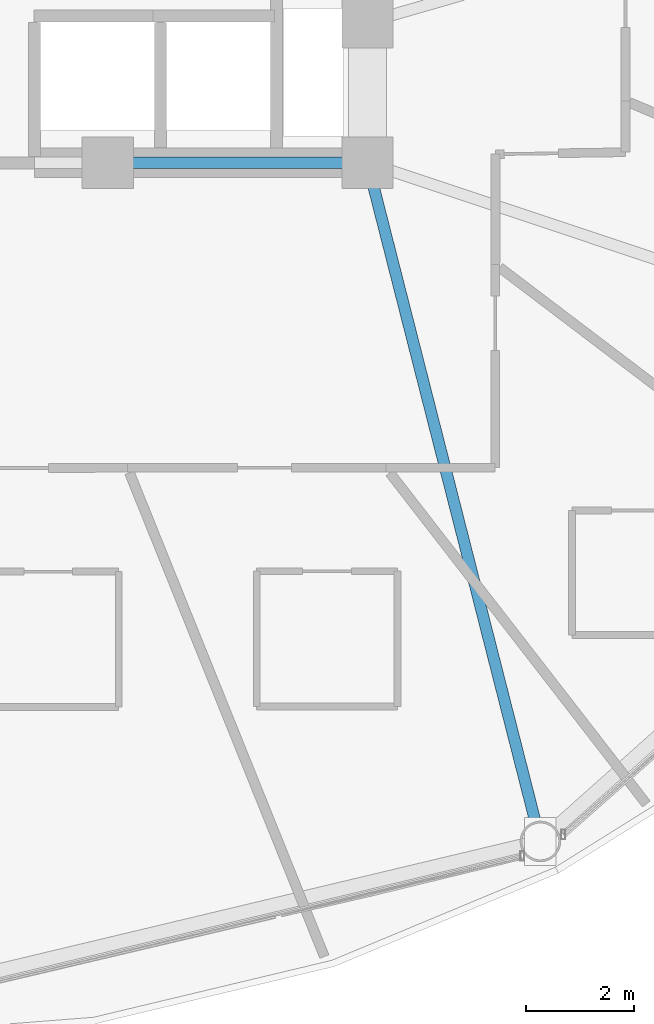
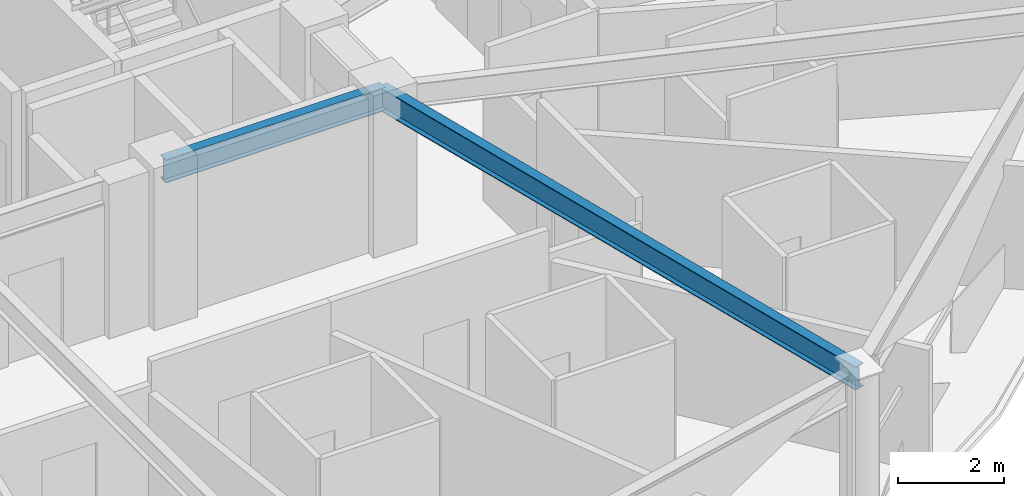
# One storey, part 10 of 32: 2 beams.
"""IFC4 building model written with IfcOpenShell, lengths in metres."""

from ifc_helpers import new_model, si_unit, direction, frame, origin, origin_2d, place, context, subcontext, project, spatial, i_section, extrude, material, material_profile, profile_set, type_object, element, save


model = new_model("IFC4")

# Units and contexts
model_context = context("Model", 3, precision=1e-05, world=origin(), true_north=direction((0.0, 1.0)))
body_context = subcontext(model_context, "Body", "Model", "MODEL_VIEW")
ifc_project = project(units=[si_unit("LENGTHUNIT", "METRE"), si_unit("AREAUNIT", "SQUARE_METRE"), si_unit("VOLUMEUNIT", "CUBIC_METRE"), si_unit("PLANEANGLEUNIT", "RADIAN"), si_unit("MASSUNIT", "GRAM", prefix="KILO")], contexts=[model_context])

# Site, building, storey
site_placement = place(None, origin())
site = spatial("IfcSite", under=ifc_project, at=site_placement, CompositionType="ELEMENT")
building_placement = place(site_placement, origin())
building = spatial("IfcBuilding", under=site, at=building_placement, Name="Vantalir Tower", CompositionType="ELEMENT")
storey_placement = place(building_placement, frame((0.0, 0.0, 100.949951171875)))
storey = spatial("IfcBuildingStorey", under=building, at=storey_placement, Name="L24", CompositionType="ELEMENT", Elevation=100.949951171875)

# Beams
ifc_material = material(Name="Steel S355", Category="steel")
ifc_material_profile = material_profile(ifc_material, i_section(OverallWidth=0.2109375, OverallDepth=0.5390625, WebThickness=0.01171875, FlangeThickness=0.018798828125, at=origin_2d()), Name="Steel S355")
ifc_profile_set = profile_set([ifc_material_profile], Name="Steel S355")
beam_type = type_object("IfcBeamType", Name="BM-RB-533x210", PredefinedType="BEAM", material=ifc_profile_set)
beam_1_placement = place(storey_placement, frame((36.300048828125, 17.800048828125, 3.300048828125), z_axis=(1.0, 0.0, 0.0), x_axis=(0.0, 1.0, 0.0)))
element("IfcBeam", 1, at=beam_1_placement, inside=storey, type_object=beam_type, Name="L24 Core Coupling Girder 04", PredefinedType="BEAM", context=body_context, shape_type="SweptSolid", body=[
    extrude(i_section(OverallWidth=0.2109375, OverallDepth=0.5390625, WebThickness=0.01171875, FlangeThickness=0.018798828125, at=origin_2d()), origin(), (0.0, 0.0, 1.0), 4.800048828125),
])
beam_2_placement = place(storey_placement, frame((44.2939453125, 5.264892578125, 3.300048828125), z_axis=(-0.246902931602, 0.969040217105, 0.0), x_axis=(-0.969040217105, -0.246902931602, 0.0)))
element("IfcBeam", 2, at=beam_2_placement, inside=storey, type_object=beam_type, Name="L24 Radial Floor Beam 11", PredefinedType="BEAM", context=body_context, shape_type="SweptSolid", body=[
    extrude(i_section(OverallWidth=0.2109375, OverallDepth=0.5390625, WebThickness=0.01171875, FlangeThickness=0.018798828125, at=origin_2d()), origin(), (0.0, 0.0, 1.0), 12.935546875),
])

save(model, "model.ifc")
